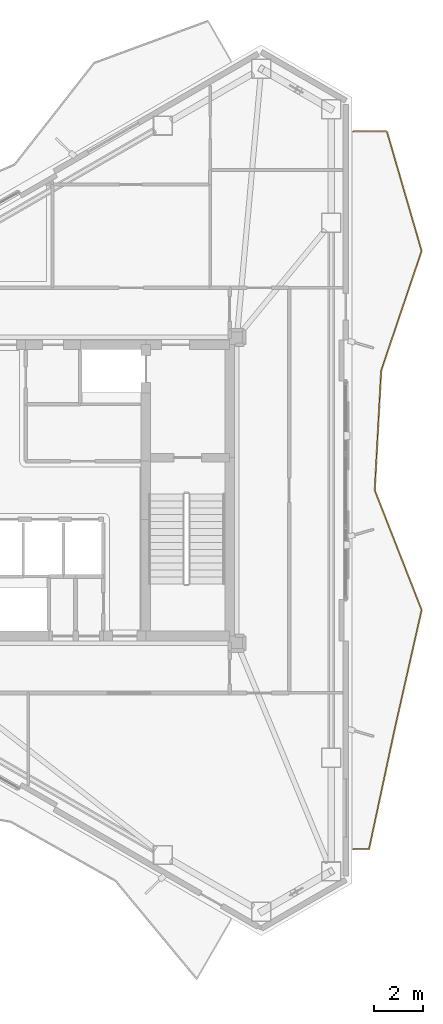
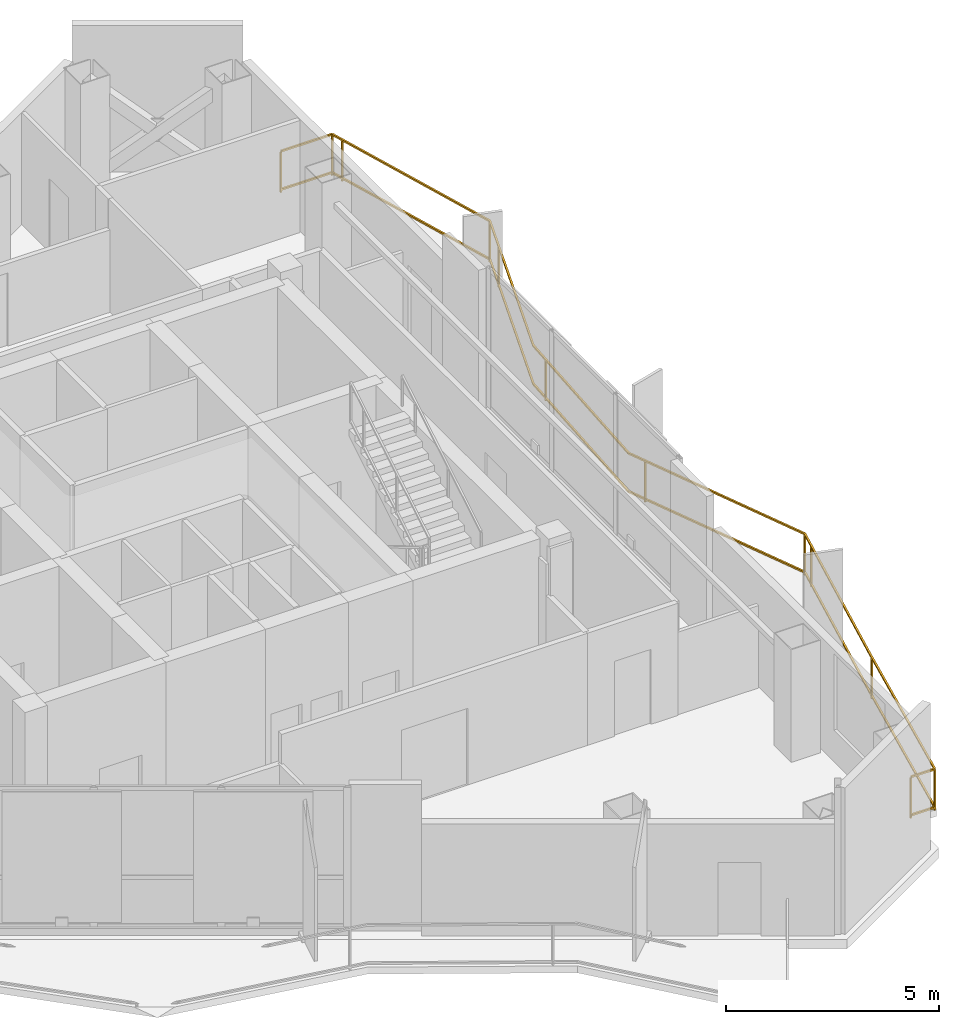
# One storey, part 15 of 15: 1 railing.
"""IFC4 building model written with IfcOpenShell, lengths in metres."""

from ifc_helpers import new_model, si_unit, direction, frame, origin, origin_2d, place, context, subcontext, project, spatial, rectangle, extrude, material, type_object, element, save


model = new_model("IFC4")

# Units and contexts
model_context = context("Model", 3, precision=1e-05, world=origin(), true_north=direction((0.0, 1.0)))
body_context = subcontext(model_context, "Body", "Model", "MODEL_VIEW")
ifc_project = project(units=[si_unit("LENGTHUNIT", "METRE"), si_unit("AREAUNIT", "SQUARE_METRE"), si_unit("VOLUMEUNIT", "CUBIC_METRE"), si_unit("PLANEANGLEUNIT", "RADIAN"), si_unit("MASSUNIT", "GRAM", prefix="KILO")], contexts=[model_context])

# Site, building, storey
site_placement = place(None, origin())
site = spatial("IfcSite", under=ifc_project, at=site_placement, CompositionType="ELEMENT")
building_placement = place(site_placement, origin())
building = spatial("IfcBuilding", under=site, at=building_placement, Name="Mersakhor Tower and Convention Hall", CompositionType="ELEMENT")
storey_placement = place(building_placement, frame((0.0, 0.0, 218.39990234375)))
storey = spatial("IfcBuildingStorey", under=building, at=storey_placement, Name="L61", CompositionType="ELEMENT", Elevation=218.39990234375)

# Railing
ifc_material = material(Name="Powder-coated galvanised steel and laminated glass balustrade", Category="steel")
railing_type = type_object("IfcRailingType", Name="RL-BAL-1200", PredefinedType="BALUSTRADE", material=ifc_material)
railing_placement = place(storey_placement, frame((40.888427734375, 11.957275390625, 0.0)))
element("IfcRailing", 1, at=railing_placement, inside=storey, type_object=railing_type, Name="L61 Sinusoidal Balcony Balustrade F2", PredefinedType="BALUSTRADE", context=body_context, shape_type="SweptSolid", body=[
    extrude(rectangle(XDim=0.048095703125, YDim=0.048095703125, at=origin_2d()), frame((0.0, 0.0, 1.17578125), z_axis=(1.0, 0.0, 0.0), x_axis=(0.0, 1.0, 0.0)), (0.0, 0.0, 1.0), 0.64990234375),
    extrude(rectangle(XDim=0.048095703125, YDim=0.048095703125, at=origin_2d()), frame((0.0, 0.0, 0.080078125), z_axis=(1.0, 0.0, 0.0), x_axis=(0.0, 1.0, 0.0)), (0.0, 0.0, 1.0), 0.64990234375),
    extrude(rectangle(XDim=0.048095703125, YDim=0.048095703125, at=origin_2d()), frame((0.64990234375, 0.0, 1.17578125), z_axis=(0.209393525591, 0.977831453493, 0.0), x_axis=(-0.977831453493, 0.209393525591, 0.0)), (0.0, 0.0, 1.0), 5.042724609375),
    extrude(rectangle(XDim=0.048095703125, YDim=0.048095703125, at=origin_2d()), frame((0.64990234375, 0.0, 0.080078125), z_axis=(0.209393525591, 0.977831453493, 0.0), x_axis=(-0.977831453493, 0.209393525591, 0.0)), (0.0, 0.0, 1.0), 5.042724609375),
    extrude(rectangle(XDim=0.048095703125, YDim=0.048095703125, at=origin_2d()), frame((1.705810546875, 4.930908203125, 1.17578125), z_axis=(0.220416511098, 0.975405844577, 0.0), x_axis=(-0.975405844577, 0.220416511098, 0.0)), (0.0, 0.0, 1.0), 5.05517578125),
    extrude(rectangle(XDim=0.048095703125, YDim=0.048095703125, at=origin_2d()), frame((1.705810546875, 4.930908203125, 0.080078125), z_axis=(0.220416511098, 0.975405844577, 0.0), x_axis=(-0.975405844577, 0.220416511098, 0.0)), (0.0, 0.0, 1.0), 5.05517578125),
    extrude(rectangle(XDim=0.048095703125, YDim=0.048095703125, at=origin_2d()), frame((2.820068359375, 9.86181640625, 1.17578125), z_axis=(-0.364872078921, 0.931057659882, 0.0), x_axis=(-0.931057659882, -0.364872078921, 0.0)), (0.0, 0.0, 1.0), 5.296142578125),
    extrude(rectangle(XDim=0.048095703125, YDim=0.048095703125, at=origin_2d()), frame((2.820068359375, 9.86181640625, 0.080078125), z_axis=(-0.364872078921, 0.931057659882, 0.0), x_axis=(-0.931057659882, -0.364872078921, 0.0)), (0.0, 0.0, 1.0), 5.296142578125),
    extrude(rectangle(XDim=0.048095703125, YDim=0.048095703125, at=origin_2d()), frame((0.8876953125, 14.792724609375, 1.17578125), z_axis=(0.053643499713, 0.998560150887, 0.0), x_axis=(-0.998560150887, 0.053643499713, 0.0)), (0.0, 0.0, 1.0), 4.93798828125),
    extrude(rectangle(XDim=0.048095703125, YDim=0.048095703125, at=origin_2d()), frame((0.8876953125, 14.792724609375, 0.080078125), z_axis=(0.053643499713, 0.998560150887, 0.0), x_axis=(-0.998560150887, 0.053643499713, 0.0)), (0.0, 0.0, 1.0), 4.93798828125),
    extrude(rectangle(XDim=0.048095703125, YDim=0.048095703125, at=origin_2d()), frame((1.152587890625, 19.7236328125, 1.17578125), z_axis=(0.320347554416, 0.947300081484, 0.0), x_axis=(-0.947300081484, 0.320347554416, 0.0)), (0.0, 0.0, 1.0), 5.205322265625),
    extrude(rectangle(XDim=0.048095703125, YDim=0.048095703125, at=origin_2d()), frame((1.152587890625, 19.7236328125, 0.080078125), z_axis=(0.320347554416, 0.947300081484, 0.0), x_axis=(-0.947300081484, 0.320347554416, 0.0)), (0.0, 0.0, 1.0), 5.205322265625),
    extrude(rectangle(XDim=0.048095703125, YDim=0.048095703125, at=origin_2d()), frame((2.820068359375, 24.654541015625, 1.17578125), z_axis=(-0.279132677438, 0.960252544067, 0.0), x_axis=(-0.960252544067, -0.279132677438, 0.0)), (0.0, 0.0, 1.0), 5.135009765625),
    extrude(rectangle(XDim=0.048095703125, YDim=0.048095703125, at=origin_2d()), frame((2.820068359375, 24.654541015625, 0.080078125), z_axis=(-0.279132677438, 0.960252544067, 0.0), x_axis=(-0.960252544067, -0.279132677438, 0.0)), (0.0, 0.0, 1.0), 5.135009765625),
    extrude(rectangle(XDim=0.048095703125, YDim=0.048095703125, at=origin_2d()), frame((1.38671875, 29.58544921875, 1.17578125), z_axis=(-1.0, 0.0, 0.0), x_axis=(0.0, -1.0, 0.0)), (0.0, 0.0, 1.0), 1.38671875),
    extrude(rectangle(XDim=0.048095703125, YDim=0.048095703125, at=origin_2d()), frame((1.38671875, 29.58544921875, 0.080078125), z_axis=(-1.0, 0.0, 0.0), x_axis=(0.0, -1.0, 0.0)), (0.0, 0.0, 1.0), 1.38671875),
    extrude(rectangle(XDim=0.0419921875, YDim=0.0419921875, at=origin_2d()), origin(), (0.0, 0.0, 1.0), 1.15185546875),
    extrude(rectangle(XDim=0.0419921875, YDim=0.0419921875, at=origin_2d()), frame((0.64990234375, 0.0, 0.0)), (0.0, 0.0, 1.0), 1.15185546875),
    extrude(rectangle(XDim=0.0419921875, YDim=0.0419921875, at=origin_2d()), frame((1.655029296875, 4.693603515625, 0.0)), (0.0, 0.0, 1.0), 1.15185546875),
    extrude(rectangle(XDim=0.0419921875, YDim=0.0419921875, at=origin_2d()), frame((2.710205078125, 9.376220703125, 0.0)), (0.0, 0.0, 1.0), 1.15185546875),
    extrude(rectangle(XDim=0.0419921875, YDim=0.0419921875, at=origin_2d()), frame((2.820068359375, 9.86181640625, 0.0)), (0.0, 0.0, 1.0), 1.15185546875),
    extrude(rectangle(XDim=0.0419921875, YDim=0.0419921875, at=origin_2d()), frame((1.068603515625, 14.330810546875, 0.0)), (0.0, 0.0, 1.0), 1.15185546875),
    extrude(rectangle(XDim=0.0419921875, YDim=0.0419921875, at=origin_2d()), frame((1.11865234375, 19.090576171875, 0.0)), (0.0, 0.0, 1.0), 1.15185546875),
    extrude(rectangle(XDim=0.0419921875, YDim=0.0419921875, at=origin_2d()), frame((2.487060546875, 23.669921875, 0.0)), (0.0, 0.0, 1.0), 1.15185546875),
    extrude(rectangle(XDim=0.0419921875, YDim=0.0419921875, at=origin_2d()), frame((2.820068359375, 24.654541015625, 0.0)), (0.0, 0.0, 1.0), 1.15185546875),
    extrude(rectangle(XDim=0.0419921875, YDim=0.0419921875, at=origin_2d()), frame((1.480224609375, 29.263671875, 0.0)), (0.0, 0.0, 1.0), 1.15185546875),
    extrude(rectangle(XDim=0.0419921875, YDim=0.0419921875, at=origin_2d()), frame((1.38671875, 29.58544921875, 0.0)), (0.0, 0.0, 1.0), 1.15185546875),
    extrude(rectangle(XDim=0.0419921875, YDim=0.0419921875, at=origin_2d()), frame((0.0, 29.58544921875, 0.0)), (0.0, 0.0, 1.0), 1.15185546875),
])

save(model, "model.ifc")
